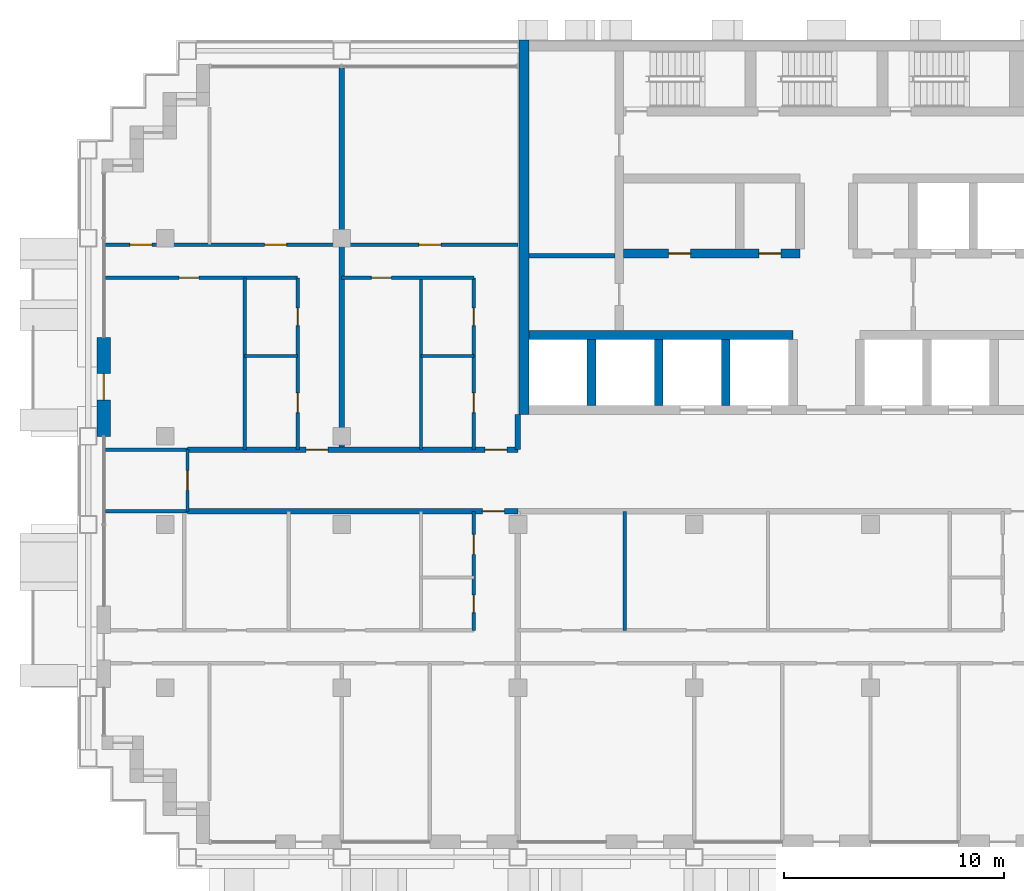
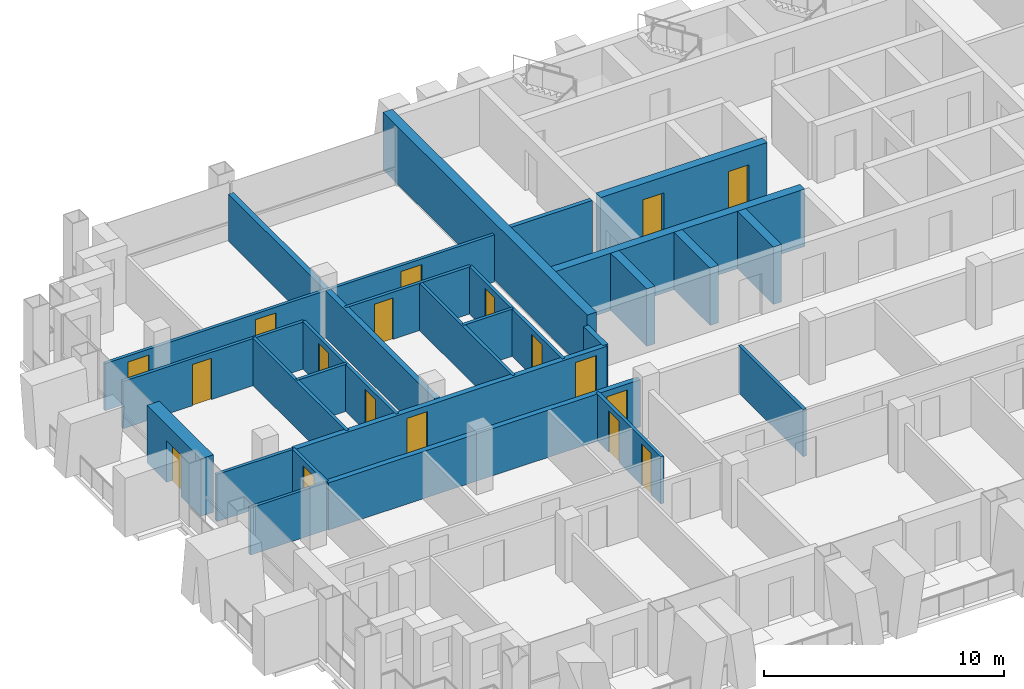
# One storey, part 8 of 18: 27 walls, 18 doors, 18 openings.
"""IFC4 building model written with IfcOpenShell, lengths in metres."""

from ifc_helpers import new_model, si_unit, direction, frame, frame_2d, origin, place, context, subcontext, project, spatial, rectangle, extrude, material, layer, layer_set, type_object, element, fill, save


model = new_model("IFC4")

# Units and contexts
model_context = context("Model", 3, precision=1e-05, world=origin(), true_north=direction((0.0, 1.0)))
body_context = subcontext(model_context, "Body", "Model", "MODEL_VIEW")
ifc_project = project(units=[si_unit("LENGTHUNIT", "METRE"), si_unit("AREAUNIT", "SQUARE_METRE"), si_unit("VOLUMEUNIT", "CUBIC_METRE"), si_unit("PLANEANGLEUNIT", "RADIAN"), si_unit("MASSUNIT", "GRAM", prefix="KILO")], contexts=[model_context])

# Site, building, storey
site_placement = place(None, origin())
site = spatial("IfcSite", under=ifc_project, at=site_placement, CompositionType="ELEMENT")
building_placement = place(site_placement, origin())
building = spatial("IfcBuilding", under=site, at=building_placement, Name="Vidyagriha Tower", CompositionType="ELEMENT")
storey_placement = place(building_placement, frame((0.0, 0.0, 142.199951171875)))
storey = spatial("IfcBuildingStorey", under=building, at=storey_placement, Name="L37", CompositionType="ELEMENT", Elevation=142.199951171875)

# Wall, opening, door
ifc_material_1 = material(Name="Precast concrete C40/50 with brick facing", Category="concrete")
ifc_layer_1 = layer(ifc_material_1, 0.60009765625)
ifc_layer_set_1 = layer_set([ifc_layer_1], Name="Precast concrete C40/50 with brick facing")
wall_type_1 = type_object("IfcWallType", Name="Brick-faced precast wall 600", PredefinedType="STANDARD", material=ifc_layer_set_1)
wall_1_placement = place(storey_placement, frame((-32.800048828125, 6.5, 0.0), z_axis=(0.0, 0.0, 1.0), x_axis=(0.0, -1.0, 0.0)))
wall_1 = element("IfcWall", 1, at=wall_1_placement, inside=storey, type_object=wall_type_1, Name="Brick door bay wall L37 R16.3", PredefinedType="STANDARD", context=body_context, shape_type="SweptSolid", body=[
    extrude(rectangle(XDim=4.5, YDim=0.60009765625, at=frame_2d((2.25, 0.0))), origin(), (0.0, 0.0, 1.0), 2.920166015625),
])
opening_1_placement = place(wall_1_placement, frame((1.64990234375, 0.0, 0.0)))
opening_1 = element("IfcOpeningElement", 2, at=opening_1_placement, cuts=wall_1, Name="Opening D37-66", PredefinedType="OPENING", context=body_context, shape_type="SweptSolid", body=[
    extrude(rectangle(XDim=1.199951171875, YDim=2.10009765625, at=frame_2d((0.60009765625, 1.050048828125))), frame((0.0, 0.31005859375, 0.0), z_axis=(0.0, -1.0, 0.0), x_axis=(1.0, 0.0, 0.0)), (0.0, 0.0, 1.0), 0.6201171875),
])
ifc_material_2 = material(Name="Aluminium framed glazed sliding door", Category="aluminium")
door_type_1 = type_object("IfcDoorType", Name="Balcony sliding door 1200x2100", OperationType="NOTDEFINED", PredefinedType="DOOR", material=ifc_material_2)
door_1_placement = place(opening_1_placement, origin())
door_1 = element("IfcDoor", 3, at=door_1_placement, inside=storey, type_object=door_type_1, Name="Door D37-66", OperationType="SLIDING_TO_LEFT", OverallHeight=2.10009765625, OverallWidth=1.199951171875, PredefinedType="DOOR", context=body_context, shape_type="SweptSolid", body=[
    extrude(rectangle(XDim=1.199951171875, YDim=2.10009765625, at=frame_2d((0.60009765625, 1.050048828125))), frame((0.0, 0.02490234375, 0.0), z_axis=(0.0, -1.0, 0.0), x_axis=(1.0, 0.0, 0.0)), (0.0, 0.0, 1.0), 0.050048828125),
])
fill(opening_1, door_1)

# Walls
ifc_material_3 = material(Name="Concrete C60/75", Category="concrete")
ifc_layer_2 = layer(ifc_material_3, 0.39990234375)
ifc_layer_set_2 = layer_set([ifc_layer_2], Name="Concrete C60/75")
wall_type_2 = type_object("IfcWallType", Name="Core shear wall 400 mm", PredefinedType="SHEAR", material=ifc_layer_set_2)
wall_2_placement = place(storey_placement, frame((-13.5, 6.60009765625, 0.0)))
element("IfcWall", 4, at=wall_2_placement, inside=storey, type_object=wall_type_2, Name="Core lobby south wall west", PredefinedType="SHEAR", context=body_context, shape_type="SweptSolid", body=[
    extrude(rectangle(XDim=11.977783203125, YDim=0.39990234375, at=frame_2d((5.98876953125, 0.0))), origin(), (0.0, 0.0, 1.0), 2.920166015625),
])
for number, where, z_axis, x_axis, name in (
    (5, (-10.655517578125, 3.39990234375, 0.0), (0.0, 0.0, 1.0), (0.0, 1.0, 0.0), "Core bay wall S1"),
    (6, (-7.611083984375, 3.39990234375, 0.0), (0.0, 0.0, 1.0), (0.0, 1.0, 0.0), "Core bay wall S2"),
    (7, (-4.566650390625, 3.39990234375, 0.0), (0.0, 0.0, 1.0), (0.0, 1.0, 0.0), "Core bay wall S3"),
):
    element("IfcWall", number, at=place(storey_placement, frame(where, z_axis=z_axis, x_axis=x_axis)), inside=storey, type_object=wall_type_2, Name=name, PredefinedType="SHEAR", context=body_context, shape_type="SweptSolid", body=[
        extrude(rectangle(XDim=3.0, YDim=0.39990234375, at=frame_2d((1.5, 0.0))), origin(), (0.0, 0.0, 1.0), 2.920166015625),
    ])

# Wall, openings, doors
wall_3_placement = place(storey_placement, frame((-9.199951171875, 10.300048828125, 0.0)))
wall_3 = element("IfcWall", 8, at=wall_3_placement, inside=storey, type_object=wall_type_2, Name="Core row N front wall", PredefinedType="SHEAR", context=body_context, shape_type="SweptSolid", body=[
    extrude(rectangle(XDim=8.0, YDim=0.39990234375, at=frame_2d((4.0, 0.0))), origin(), (0.0, 0.0, 1.0), 2.920166015625),
])
opening_2_placement = place(wall_3_placement, frame((2.033203125, 0.0, 0.0)))
opening_2 = element("IfcOpeningElement", 9, at=opening_2_placement, cuts=wall_3, Name="Opening D37-02", PredefinedType="OPENING", context=body_context, shape_type="SweptSolid", body=[
    extrude(rectangle(XDim=1.0, YDim=2.10009765625, at=frame_2d((0.5, 1.050048828125))), frame((0.0, 0.2099609375, 0.0), z_axis=(0.0, -1.0, 0.0), x_axis=(1.0, 0.0, 0.0)), (0.0, 0.0, 1.0), 0.419921875),
])
opening_3_placement = place(wall_3_placement, frame((6.13330078125, 0.0, 0.0)))
opening_3 = element("IfcOpeningElement", 10, at=opening_3_placement, cuts=wall_3, Name="Opening D37-03", PredefinedType="OPENING", context=body_context, shape_type="SweptSolid", body=[
    extrude(rectangle(XDim=1.0, YDim=2.10009765625, at=frame_2d((0.5, 1.050048828125))), frame((0.0, 0.2099609375, 0.0), z_axis=(0.0, -1.0, 0.0), x_axis=(1.0, 0.0, 0.0)), (0.0, 0.0, 1.0), 0.419921875),
])
ifc_material_4 = material(Name="Hollow metal door leaf")
door_type_2 = type_object("IfcDoorType", Name="Core room door 1000 x 2100 mm EI 60", OperationType="NOTDEFINED", PredefinedType="DOOR", material=ifc_material_4)
door_2_placement = place(opening_2_placement, frame((1.0, 0.0, 0.0), z_axis=(0.0, 0.0, 1.0), x_axis=(-1.0, 0.0, 0.0)))
door_2 = element("IfcDoor", 11, at=door_2_placement, inside=storey, type_object=door_type_2, Name="Door Electrical Room 37.14", OperationType="SINGLE_SWING_RIGHT", OverallHeight=2.10009765625, OverallWidth=1.0, PredefinedType="DOOR", context=body_context, shape_type="SweptSolid", body=[
    extrude(rectangle(XDim=1.0, YDim=2.10009765625, at=frame_2d((0.5, 1.050048828125))), frame((0.0, 0.02490234375, 0.0), z_axis=(0.0, -1.0, 0.0), x_axis=(1.0, 0.0, 0.0)), (0.0, 0.0, 1.0), 0.050048828125),
])
fill(opening_2, door_2)
door_3_placement = place(opening_3_placement, frame((1.0, 0.0, 0.0), z_axis=(0.0, 0.0, 1.0), x_axis=(-1.0, 0.0, 0.0)))
door_3 = element("IfcDoor", 12, at=door_3_placement, inside=storey, type_object=door_type_2, Name="Door Cleaners Store 37.15", OperationType="SINGLE_SWING_LEFT", OverallHeight=2.10009765625, OverallWidth=1.0, PredefinedType="DOOR", context=body_context, shape_type="SweptSolid", body=[
    extrude(rectangle(XDim=1.0, YDim=2.10009765625, at=frame_2d((0.5, 1.050048828125))), frame((0.0, 0.02490234375, 0.0), z_axis=(0.0, -1.0, 0.0), x_axis=(1.0, 0.0, 0.0)), (0.0, 0.0, 1.0), 0.050048828125),
])
fill(opening_3, door_3)

# Wall
ifc_material_5 = material(Name="Concrete C60/75", Category="concrete")
ifc_layer_3 = layer(ifc_material_5, 0.449951171875)
ifc_layer_set_3 = layer_set([ifc_layer_3], Name="Concrete C60/75")
wall_type_3 = type_object("IfcWallType", Name="Core shear wall 450 mm", PredefinedType="SHEAR", material=ifc_layer_set_3)
wall_4_placement = place(storey_placement, frame((-13.72509765625, 3.0, 0.0), z_axis=(0.0, 0.0, 1.0), x_axis=(0.0, 1.0, 0.0)))
element("IfcWall", 13, at=wall_4_placement, inside=storey, type_object=wall_type_3, Name="Core west wall", PredefinedType="SHEAR", context=body_context, shape_type="SweptSolid", body=[
    extrude(rectangle(XDim=17.0, YDim=0.449951171875, at=frame_2d((8.5, 0.0))), origin(), (0.0, 0.0, 1.0), 2.920166015625),
])

# Wall, opening, door
ifc_material_6 = material(Name="Fired clay brick masonry", Category="masonry")
ifc_layer_4 = layer(ifc_material_6, 0.25)
ifc_layer_set_4 = layer_set([ifc_layer_4], Name="Fired clay brick masonry")
wall_type_4 = type_object("IfcWallType", Name="Fired clay brick corridor wall 250", PredefinedType="PARTITIONING", material=ifc_layer_set_4)
wall_5_placement = place(storey_placement, frame((-14.0, -1.39990234375, 0.0), z_axis=(0.0, 0.0, 1.0), x_axis=(-1.0, 0.0, 0.0)))
wall_5 = element("IfcWall", 14, at=wall_5_placement, inside=storey, type_object=wall_type_4, Name="Wall all-L37-w067", PredefinedType="PARTITIONING", context=body_context, shape_type="SweptSolid", body=[
    extrude(rectangle(XDim=15.0, YDim=0.25, at=frame_2d((7.5, 0.0))), origin(), (0.0, 0.0, 1.0), 2.400146484375),
])
opening_4_placement = place(wall_5_placement, frame((0.617919921875, 0.0, 0.0)))
opening_4 = element("IfcOpeningElement", 15, at=opening_4_placement, cuts=wall_5, Name="Opening D37-22", PredefinedType="OPENING", context=body_context, shape_type="SweptSolid", body=[
    extrude(rectangle(XDim=1.0, YDim=2.10009765625, at=frame_2d((0.5, 1.050048828125))), frame((0.0, 0.135009765625, 0.0), z_axis=(0.0, -1.0, 0.0), x_axis=(1.0, 0.0, 0.0)), (0.0, 0.0, 1.0), 0.27001953125),
])
ifc_material_7 = material(Name="Fire-rated timber door leaf EI 60", Category="wood")
door_type_3 = type_object("IfcDoorType", Name="Flat entrance fire door 1000x2100", OperationType="NOTDEFINED", PredefinedType="DOOR", material=ifc_material_7)
door_4_placement = place(opening_4_placement, origin())
door_4 = element("IfcDoor", 16, at=door_4_placement, inside=storey, type_object=door_type_3, Name="Door D37-22", OperationType="SINGLE_SWING_LEFT", OverallHeight=2.10009765625, OverallWidth=1.0, PredefinedType="DOOR", context=body_context, shape_type="SweptSolid", body=[
    extrude(rectangle(XDim=1.0, YDim=2.10009765625, at=frame_2d((0.5, 1.050048828125))), frame((0.0, 0.02490234375, 0.0), z_axis=(0.0, -1.0, 0.0), x_axis=(1.0, 0.0, 0.0)), (0.0, 0.0, 1.0), 0.050048828125),
])
fill(opening_4, door_4)

# Wall, openings, doors
wall_6_placement = place(storey_placement, frame((-29.0, 1.39990234375, 0.0)))
wall_6 = element("IfcWall", 17, at=wall_6_placement, inside=storey, type_object=wall_type_4, Name="Wall all-L37-w094", PredefinedType="PARTITIONING", context=body_context, shape_type="SweptSolid", body=[
    extrude(rectangle(XDim=15.0, YDim=0.25, at=frame_2d((7.5, 0.0))), origin(), (0.0, 0.0, 1.0), 2.400146484375),
])
opening_5_placement = place(wall_6_placement, frame((5.382080078125, 0.0, 0.0)))
opening_5 = element("IfcOpeningElement", 18, at=opening_5_placement, cuts=wall_6, Name="Opening D37-50", PredefinedType="OPENING", context=body_context, shape_type="SweptSolid", body=[
    extrude(rectangle(XDim=1.0, YDim=2.10009765625, at=frame_2d((0.5, 1.050048828125))), frame((0.0, 0.135009765625, 0.0), z_axis=(0.0, -1.0, 0.0), x_axis=(1.0, 0.0, 0.0)), (0.0, 0.0, 1.0), 0.27001953125),
])
opening_6_placement = place(wall_6_placement, frame((13.5, 0.0, 0.0)))
opening_6 = element("IfcOpeningElement", 19, at=opening_6_placement, cuts=wall_6, Name="Opening D37-55", PredefinedType="OPENING", context=body_context, shape_type="SweptSolid", body=[
    extrude(rectangle(XDim=1.0, YDim=2.10009765625, at=frame_2d((0.5, 1.050048828125))), frame((0.0, 0.135009765625, 0.0), z_axis=(0.0, -1.0, 0.0), x_axis=(1.0, 0.0, 0.0)), (0.0, 0.0, 1.0), 0.27001953125),
])
door_5_placement = place(opening_5_placement, origin())
door_5 = element("IfcDoor", 20, at=door_5_placement, inside=storey, type_object=door_type_3, Name="Door D37-50", OperationType="SINGLE_SWING_RIGHT", OverallHeight=2.10009765625, OverallWidth=1.0, PredefinedType="DOOR", context=body_context, shape_type="SweptSolid", body=[
    extrude(rectangle(XDim=1.0, YDim=2.10009765625, at=frame_2d((0.5, 1.050048828125))), frame((0.0, 0.02490234375, 0.0), z_axis=(0.0, -1.0, 0.0), x_axis=(1.0, 0.0, 0.0)), (0.0, 0.0, 1.0), 0.050048828125),
])
fill(opening_5, door_5)
door_6_placement = place(opening_6_placement, origin())
door_6 = element("IfcDoor", 21, at=door_6_placement, inside=storey, type_object=door_type_3, Name="Door D37-55", OperationType="SINGLE_SWING_RIGHT", OverallHeight=2.10009765625, OverallWidth=1.0, PredefinedType="DOOR", context=body_context, shape_type="SweptSolid", body=[
    extrude(rectangle(XDim=1.0, YDim=2.10009765625, at=frame_2d((0.5, 1.050048828125))), frame((0.0, 0.02490234375, 0.0), z_axis=(0.0, -1.0, 0.0), x_axis=(1.0, 0.0, 0.0)), (0.0, 0.0, 1.0), 0.050048828125),
])
fill(opening_6, door_6)

# Walls
wall_7_placement = place(storey_placement, frame((-14.0, 3.0, 0.0), z_axis=(0.0, 0.0, 1.0), x_axis=(0.0, -1.0, 0.0)))
element("IfcWall", 22, at=wall_7_placement, inside=storey, type_object=wall_type_4, Name="Wall all-L37-w119", PredefinedType="PARTITIONING", context=body_context, shape_type="SweptSolid", body=[
    extrude(rectangle(XDim=1.60009765625, YDim=0.25, at=frame_2d((0.800048828125, 0.0))), origin(), (0.0, 0.0, 1.0), 2.400146484375),
])
ifc_material_8 = material(Name="Fired clay brick masonry", Category="masonry")
ifc_layer_5 = layer(ifc_material_8, 0.25)
ifc_layer_set_5 = layer_set([ifc_layer_5], Name="Fired clay brick masonry")
wall_type_5 = type_object("IfcWallType", Name="Fired clay brick demising wall 250", PredefinedType="PARTITIONING", material=ifc_layer_set_5)
wall_8_placement = place(storey_placement, frame((-22.0, 18.720947265625, 0.0), z_axis=(0.0, 0.0, 1.0), x_axis=(0.0, -1.0, 0.0)))
element("IfcWall", 23, at=wall_8_placement, inside=storey, type_object=wall_type_5, Name="Wall all-L37-w093", PredefinedType="PARTITIONING", context=body_context, shape_type="SweptSolid", body=[
    extrude(rectangle(XDim=17.321044921875, YDim=0.25, at=frame_2d((8.66064453125, 0.0))), origin(), (0.0, 0.0, 1.0), 2.400146484375),
])
ifc_material_9 = material(Name="Gypsum board partition")
ifc_layer_6 = layer(ifc_material_9, 0.14990234375)
ifc_layer_set_6 = layer_set([ifc_layer_6], Name="Gypsum board partition")
wall_type_6 = type_object("IfcWallType", Name="Gypsum board partition 150", PredefinedType="PARTITIONING", material=ifc_layer_set_6)
wall_9_placement = place(storey_placement, frame((-9.14990234375, -6.800048828125, 0.0), z_axis=(0.0, 0.0, 1.0), x_axis=(0.0, 1.0, 0.0)))
element("IfcWall", 24, at=wall_9_placement, inside=storey, type_object=wall_type_6, Name="Wall all-L37-w027", PredefinedType="PARTITIONING", context=body_context, shape_type="SweptSolid", body=[
    extrude(rectangle(XDim=5.400146484375, YDim=0.14990234375, at=frame_2d((2.7001953125, 0.0))), origin(), (0.0, 0.0, 1.0), 2.400146484375),
])
wall_10_placement = place(storey_placement, frame((-29.0, -1.39990234375, 0.0), z_axis=(0.0, 0.0, 1.0), x_axis=(-1.0, 0.0, 0.0)))
element("IfcWall", 25, at=wall_10_placement, inside=storey, type_object=wall_type_6, Name="Wall all-L37-w068", PredefinedType="PARTITIONING", context=body_context, shape_type="SweptSolid", body=[
    extrude(rectangle(XDim=3.719970703125, YDim=0.14990234375, at=frame_2d((1.85986328125, 0.0))), origin(), (0.0, 0.0, 1.0), 2.400146484375),
])
wall_11_placement = place(storey_placement, frame((-26.39990234375, 5.64990234375, 0.0)))
element("IfcWall", 26, at=wall_11_placement, inside=storey, type_object=wall_type_6, Name="Wall all-L37-w074", PredefinedType="PARTITIONING", context=body_context, shape_type="SweptSolid", body=[
    extrude(rectangle(XDim=2.39990234375, YDim=0.14990234375, at=frame_2d((1.199951171875, 0.0))), origin(), (0.0, 0.0, 1.0), 2.400146484375),
])
wall_12_placement = place(storey_placement, frame((-26.39990234375, 1.39990234375, 0.0), z_axis=(0.0, 0.0, 1.0), x_axis=(0.0, 1.0, 0.0)))
element("IfcWall", 27, at=wall_12_placement, inside=storey, type_object=wall_type_6, Name="Wall all-L37-w075", PredefinedType="PARTITIONING", context=body_context, shape_type="SweptSolid", body=[
    extrude(rectangle(XDim=7.800048828125, YDim=0.14990234375, at=frame_2d((3.89990234375, 0.0))), origin(), (0.0, 0.0, 1.0), 2.400146484375),
])

# Wall, opening, door
wall_13_placement = place(storey_placement, frame((-24.0, 9.199951171875, 0.0), z_axis=(0.0, 0.0, 1.0), x_axis=(-1.0, 0.0, 0.0)))
wall_13 = element("IfcWall", 28, at=wall_13_placement, inside=storey, type_object=wall_type_6, Name="Wall all-L37-w076", PredefinedType="PARTITIONING", context=body_context, shape_type="SweptSolid", body=[
    extrude(rectangle(XDim=8.719970703125, YDim=0.14990234375, at=frame_2d((4.35986328125, 0.0))), origin(), (0.0, 0.0, 1.0), 2.400146484375),
])
opening_7_placement = place(wall_13_placement, frame((4.48193359375, 0.0, 0.0)))
opening_7 = element("IfcOpeningElement", 29, at=opening_7_placement, cuts=wall_13, Name="Opening D37-47", PredefinedType="OPENING", context=body_context, shape_type="SweptSolid", body=[
    extrude(rectangle(XDim=0.89990234375, YDim=2.10009765625, at=frame_2d((0.449951171875, 1.050048828125))), frame((0.0, 0.0849609375, 0.0), z_axis=(0.0, -1.0, 0.0), x_axis=(1.0, 0.0, 0.0)), (0.0, 0.0, 1.0), 0.169921875),
])
ifc_material_10 = material(Name="Timber door leaf", Category="wood")
door_type_4 = type_object("IfcDoorType", Name="Room door 900x2100", OperationType="NOTDEFINED", PredefinedType="DOOR", material=ifc_material_10)
door_7_placement = place(opening_7_placement, origin())
door_7 = element("IfcDoor", 30, at=door_7_placement, inside=storey, type_object=door_type_4, Name="Door D37-47", OperationType="SINGLE_SWING_LEFT", OverallHeight=2.10009765625, OverallWidth=0.89990234375, PredefinedType="DOOR", context=body_context, shape_type="SweptSolid", body=[
    extrude(rectangle(XDim=0.89990234375, YDim=2.10009765625, at=frame_2d((0.449951171875, 1.050048828125))), frame((0.0, 0.02490234375, 0.0), z_axis=(0.0, -1.0, 0.0), x_axis=(1.0, 0.0, 0.0)), (0.0, 0.0, 1.0), 0.050048828125),
])
fill(opening_7, door_7)

# Wall, openings, doors
wall_14_placement = place(storey_placement, frame((-32.719970703125, 10.699951171875, 0.0)))
wall_14 = element("IfcWall", 31, at=wall_14_placement, inside=storey, type_object=wall_type_6, Name="Wall all-L37-w078", PredefinedType="PARTITIONING", context=body_context, shape_type="SweptSolid", body=[
    extrude(rectangle(XDim=10.719970703125, YDim=0.14990234375, at=frame_2d((5.35986328125, 0.0))), origin(), (0.0, 0.0, 1.0), 2.400146484375),
])
opening_8_placement = place(wall_14_placement, frame((1.10205078125, 0.0, 0.0)))
opening_8 = element("IfcOpeningElement", 32, at=opening_8_placement, cuts=wall_14, Name="Opening D37-48", PredefinedType="OPENING", context=body_context, shape_type="SweptSolid", body=[
    extrude(rectangle(XDim=1.0, YDim=2.10009765625, at=frame_2d((0.5, 1.050048828125))), frame((0.0, 0.0849609375, 0.0), z_axis=(0.0, -1.0, 0.0), x_axis=(1.0, 0.0, 0.0)), (0.0, 0.0, 1.0), 0.169921875),
])
opening_9_placement = place(wall_14_placement, frame((7.219970703125, 0.0, 0.0)))
opening_9 = element("IfcOpeningElement", 33, at=opening_9_placement, cuts=wall_14, Name="Opening D37-49", PredefinedType="OPENING", context=body_context, shape_type="SweptSolid", body=[
    extrude(rectangle(XDim=1.0, YDim=2.10009765625, at=frame_2d((0.5, 1.050048828125))), frame((0.0, 0.0849609375, 0.0), z_axis=(0.0, -1.0, 0.0), x_axis=(1.0, 0.0, 0.0)), (0.0, 0.0, 1.0), 0.169921875),
])
ifc_material_11 = material(Name="Timber door leaf", Category="wood")
door_type_5 = type_object("IfcDoorType", Name="Room door 1000x2100", OperationType="NOTDEFINED", PredefinedType="DOOR", material=ifc_material_11)
door_8_placement = place(opening_8_placement, origin())
door_8 = element("IfcDoor", 34, at=door_8_placement, inside=storey, type_object=door_type_5, Name="Door D37-48", OperationType="SINGLE_SWING_LEFT", OverallHeight=2.10009765625, OverallWidth=1.0, PredefinedType="DOOR", context=body_context, shape_type="SweptSolid", body=[
    extrude(rectangle(XDim=1.0, YDim=2.10009765625, at=frame_2d((0.5, 1.050048828125))), frame((0.0, 0.02490234375, 0.0), z_axis=(0.0, -1.0, 0.0), x_axis=(1.0, 0.0, 0.0)), (0.0, 0.0, 1.0), 0.050048828125),
])
fill(opening_8, door_8)
door_9_placement = place(opening_9_placement, origin())
door_9 = element("IfcDoor", 35, at=door_9_placement, inside=storey, type_object=door_type_5, Name="Door D37-49", OperationType="SINGLE_SWING_RIGHT", OverallHeight=2.10009765625, OverallWidth=1.0, PredefinedType="DOOR", context=body_context, shape_type="SweptSolid", body=[
    extrude(rectangle(XDim=1.0, YDim=2.10009765625, at=frame_2d((0.5, 1.050048828125))), frame((0.0, 0.02490234375, 0.0), z_axis=(0.0, -1.0, 0.0), x_axis=(1.0, 0.0, 0.0)), (0.0, 0.0, 1.0), 0.050048828125),
])
fill(opening_9, door_9)

# Walls
wall_15_placement = place(storey_placement, frame((-18.39990234375, 5.64990234375, 0.0)))
element("IfcWall", 36, at=wall_15_placement, inside=storey, type_object=wall_type_6, Name="Wall all-L37-w086", PredefinedType="PARTITIONING", context=body_context, shape_type="SweptSolid", body=[
    extrude(rectangle(XDim=2.39990234375, YDim=0.14990234375, at=frame_2d((1.199951171875, 0.0))), origin(), (0.0, 0.0, 1.0), 2.400146484375),
])
wall_16_placement = place(storey_placement, frame((-18.39990234375, 1.39990234375, 0.0), z_axis=(0.0, 0.0, 1.0), x_axis=(0.0, 1.0, 0.0)))
element("IfcWall", 37, at=wall_16_placement, inside=storey, type_object=wall_type_6, Name="Wall all-L37-w087", PredefinedType="PARTITIONING", context=body_context, shape_type="SweptSolid", body=[
    extrude(rectangle(XDim=7.800048828125, YDim=0.14990234375, at=frame_2d((3.89990234375, 0.0))), origin(), (0.0, 0.0, 1.0), 2.400146484375),
])

# Wall, opening, door
wall_17_placement = place(storey_placement, frame((-16.0, 9.199951171875, 0.0), z_axis=(0.0, 0.0, 1.0), x_axis=(-1.0, 0.0, 0.0)))
wall_17 = element("IfcWall", 38, at=wall_17_placement, inside=storey, type_object=wall_type_6, Name="Wall all-L37-w088", PredefinedType="PARTITIONING", context=body_context, shape_type="SweptSolid", body=[
    extrude(rectangle(XDim=6.0, YDim=0.14990234375, at=frame_2d((3.0, 0.0))), origin(), (0.0, 0.0, 1.0), 2.400146484375),
])
opening_10_placement = place(wall_17_placement, frame((3.75, 0.0, 0.0)))
opening_10 = element("IfcOpeningElement", 39, at=opening_10_placement, cuts=wall_17, Name="Opening D37-53", PredefinedType="OPENING", context=body_context, shape_type="SweptSolid", body=[
    extrude(rectangle(XDim=0.89990234375, YDim=2.10009765625, at=frame_2d((0.449951171875, 1.050048828125))), frame((0.0, 0.0849609375, 0.0), z_axis=(0.0, -1.0, 0.0), x_axis=(1.0, 0.0, 0.0)), (0.0, 0.0, 1.0), 0.169921875),
])
door_10_placement = place(opening_10_placement, origin())
door_10 = element("IfcDoor", 40, at=door_10_placement, inside=storey, type_object=door_type_4, Name="Door D37-53", OperationType="SINGLE_SWING_RIGHT", OverallHeight=2.10009765625, OverallWidth=0.89990234375, PredefinedType="DOOR", context=body_context, shape_type="SweptSolid", body=[
    extrude(rectangle(XDim=0.89990234375, YDim=2.10009765625, at=frame_2d((0.449951171875, 1.050048828125))), frame((0.0, 0.02490234375, 0.0), z_axis=(0.0, -1.0, 0.0), x_axis=(1.0, 0.0, 0.0)), (0.0, 0.0, 1.0), 0.050048828125),
])
fill(opening_10, door_10)

wall_18_placement = place(storey_placement, frame((-22.0, 10.699951171875, 0.0)))
wall_18 = element("IfcWall", 41, at=wall_18_placement, inside=storey, type_object=wall_type_6, Name="Wall all-L37-w090", PredefinedType="PARTITIONING", context=body_context, shape_type="SweptSolid", body=[
    extrude(rectangle(XDim=8.0, YDim=0.14990234375, at=frame_2d((4.0, 0.0))), origin(), (0.0, 0.0, 1.0), 2.400146484375),
])
opening_11_placement = place(wall_18_placement, frame((3.5, 0.0, 0.0)))
opening_11 = element("IfcOpeningElement", 42, at=opening_11_placement, cuts=wall_18, Name="Opening D37-54", PredefinedType="OPENING", context=body_context, shape_type="SweptSolid", body=[
    extrude(rectangle(XDim=1.0, YDim=2.10009765625, at=frame_2d((0.5, 1.050048828125))), frame((0.0, 0.0849609375, 0.0), z_axis=(0.0, -1.0, 0.0), x_axis=(1.0, 0.0, 0.0)), (0.0, 0.0, 1.0), 0.169921875),
])
door_11_placement = place(opening_11_placement, origin())
door_11 = element("IfcDoor", 43, at=door_11_placement, inside=storey, type_object=door_type_5, Name="Door D37-54", OperationType="SINGLE_SWING_RIGHT", OverallHeight=2.10009765625, OverallWidth=1.0, PredefinedType="DOOR", context=body_context, shape_type="SweptSolid", body=[
    extrude(rectangle(XDim=1.0, YDim=2.10009765625, at=frame_2d((0.5, 1.050048828125))), frame((0.0, 0.02490234375, 0.0), z_axis=(0.0, -1.0, 0.0), x_axis=(1.0, 0.0, 0.0)), (0.0, 0.0, 1.0), 0.050048828125),
])
fill(opening_11, door_11)

# Wall
wall_19_placement = place(storey_placement, frame((-32.719970703125, 1.39990234375, 0.0)))
element("IfcWall", 44, at=wall_19_placement, inside=storey, type_object=wall_type_6, Name="Wall all-L37-w095", PredefinedType="PARTITIONING", context=body_context, shape_type="SweptSolid", body=[
    extrude(rectangle(XDim=3.719970703125, YDim=0.14990234375, at=frame_2d((1.85986328125, 0.0))), origin(), (0.0, 0.0, 1.0), 2.400146484375),
])

# Wall, opening, door
wall_20_placement = place(storey_placement, frame((-29.0, 1.39990234375, 0.0), z_axis=(0.0, 0.0, 1.0), x_axis=(0.0, -1.0, 0.0)))
wall_20 = element("IfcWall", 45, at=wall_20_placement, inside=storey, type_object=wall_type_6, Name="Wall all-L37-w114", PredefinedType="PARTITIONING", context=body_context, shape_type="SweptSolid", body=[
    extrude(rectangle(XDim=2.7998046875, YDim=0.14990234375, at=frame_2d((1.39990234375, 0.0))), origin(), (0.0, 0.0, 1.0), 2.400146484375),
])
opening_12_placement = place(wall_20_placement, frame((0.949951171875, 0.0, 0.0)))
opening_12 = element("IfcOpeningElement", 46, at=opening_12_placement, cuts=wall_20, Name="Opening D37-64", PredefinedType="OPENING", context=body_context, shape_type="SweptSolid", body=[
    extrude(rectangle(XDim=0.89990234375, YDim=2.10009765625, at=frame_2d((0.449951171875, 1.050048828125))), frame((0.0, 0.0849609375, 0.0), z_axis=(0.0, -1.0, 0.0), x_axis=(1.0, 0.0, 0.0)), (0.0, 0.0, 1.0), 0.169921875),
])
door_12_placement = place(opening_12_placement, origin())
door_12 = element("IfcDoor", 47, at=door_12_placement, inside=storey, type_object=door_type_4, Name="Door D37-64", OperationType="SINGLE_SWING_RIGHT", OverallHeight=2.10009765625, OverallWidth=0.89990234375, PredefinedType="DOOR", context=body_context, shape_type="SweptSolid", body=[
    extrude(rectangle(XDim=0.89990234375, YDim=2.10009765625, at=frame_2d((0.449951171875, 1.050048828125))), frame((0.0, 0.02490234375, 0.0), z_axis=(0.0, -1.0, 0.0), x_axis=(1.0, 0.0, 0.0)), (0.0, 0.0, 1.0), 0.050048828125),
])
fill(opening_12, door_12)

# Wall, openings, doors
ifc_material_12 = material(Name="Moisture resistant gypsum board partition")
ifc_layer_7 = layer(ifc_material_12, 0.14990234375)
ifc_layer_set_7 = layer_set([ifc_layer_7], Name="Moisture resistant gypsum board partition")
wall_type_7 = type_object("IfcWallType", Name="Gypsum board wet-area partition 150", PredefinedType="PARTITIONING", material=ifc_layer_set_7)
wall_21_placement = place(storey_placement, frame((-16.0, -6.800048828125, 0.0), z_axis=(0.0, 0.0, 1.0), x_axis=(0.0, 1.0, 0.0)))
wall_21 = element("IfcWall", 48, at=wall_21_placement, inside=storey, type_object=wall_type_7, Name="Wall all-L37-w001", PredefinedType="PARTITIONING", context=body_context, shape_type="SweptSolid", body=[
    extrude(rectangle(XDim=5.400146484375, YDim=0.14990234375, at=frame_2d((2.7001953125, 0.0))), origin(), (0.0, 0.0, 1.0), 2.400146484375),
])
opening_13_placement = place(wall_21_placement, frame((3.449951171875, 0.0, 0.0)))
opening_13 = element("IfcOpeningElement", 49, at=opening_13_placement, cuts=wall_21, Name="Opening D37-13", PredefinedType="OPENING", context=body_context, shape_type="SweptSolid", body=[
    extrude(rectangle(XDim=0.89990234375, YDim=2.10009765625, at=frame_2d((0.449951171875, 1.050048828125))), frame((0.0, 0.0849609375, 0.0), z_axis=(0.0, -1.0, 0.0), x_axis=(1.0, 0.0, 0.0)), (0.0, 0.0, 1.0), 0.169921875),
])
opening_14_placement = place(wall_21_placement, frame((0.800048828125, 0.0, 0.0)))
opening_14 = element("IfcOpeningElement", 50, at=opening_14_placement, cuts=wall_21, Name="Opening D37-14", PredefinedType="OPENING", context=body_context, shape_type="SweptSolid", body=[
    extrude(rectangle(XDim=0.800048828125, YDim=2.10009765625, at=frame_2d((0.39990234375, 1.050048828125))), frame((0.0, 0.0849609375, 0.0), z_axis=(0.0, -1.0, 0.0), x_axis=(1.0, 0.0, 0.0)), (0.0, 0.0, 1.0), 0.169921875),
])
ifc_material_13 = material(Name="Timber door leaf", Category="wood")
door_type_6 = type_object("IfcDoorType", Name="Bathroom door 800x2100", OperationType="NOTDEFINED", PredefinedType="DOOR", material=ifc_material_13)
door_13_placement = place(opening_14_placement, origin())
door_13 = element("IfcDoor", 51, at=door_13_placement, inside=storey, type_object=door_type_6, Name="Door D37-14", OperationType="SINGLE_SWING_RIGHT", OverallHeight=2.10009765625, OverallWidth=0.800048828125, PredefinedType="DOOR", context=body_context, shape_type="SweptSolid", body=[
    extrude(rectangle(XDim=0.800048828125, YDim=2.10009765625, at=frame_2d((0.39990234375, 1.050048828125))), frame((0.0, 0.02490234375, 0.0), z_axis=(0.0, -1.0, 0.0), x_axis=(1.0, 0.0, 0.0)), (0.0, 0.0, 1.0), 0.050048828125),
])
fill(opening_14, door_13)
ifc_material_14 = material(Name="Timber door leaf", Category="wood")
door_type_7 = type_object("IfcDoorType", Name="Kitchen door 900x2100", OperationType="NOTDEFINED", PredefinedType="DOOR", material=ifc_material_14)
door_14_placement = place(opening_13_placement, origin())
door_14 = element("IfcDoor", 52, at=door_14_placement, inside=storey, type_object=door_type_7, Name="Door D37-13", OperationType="SINGLE_SWING_RIGHT", OverallHeight=2.10009765625, OverallWidth=0.89990234375, PredefinedType="DOOR", context=body_context, shape_type="SweptSolid", body=[
    extrude(rectangle(XDim=0.89990234375, YDim=2.10009765625, at=frame_2d((0.449951171875, 1.050048828125))), frame((0.0, 0.02490234375, 0.0), z_axis=(0.0, -1.0, 0.0), x_axis=(1.0, 0.0, 0.0)), (0.0, 0.0, 1.0), 0.050048828125),
])
fill(opening_13, door_14)

wall_22_placement = place(storey_placement, frame((-24.0, 1.39990234375, 0.0), z_axis=(0.0, 0.0, 1.0), x_axis=(0.0, 1.0, 0.0)))
wall_22 = element("IfcWall", 53, at=wall_22_placement, inside=storey, type_object=wall_type_7, Name="Wall all-L37-w071", PredefinedType="PARTITIONING", context=body_context, shape_type="SweptSolid", body=[
    extrude(rectangle(XDim=7.800048828125, YDim=0.14990234375, at=frame_2d((3.89990234375, 0.0))), origin(), (0.0, 0.0, 1.0), 2.400146484375),
])
opening_15_placement = place(wall_22_placement, frame((1.675048828125, 0.0, 0.0)))
opening_15 = element("IfcOpeningElement", 54, at=opening_15_placement, cuts=wall_22, Name="Opening D37-45", PredefinedType="OPENING", context=body_context, shape_type="SweptSolid", body=[
    extrude(rectangle(XDim=0.89990234375, YDim=2.10009765625, at=frame_2d((0.449951171875, 1.050048828125))), frame((0.0, 0.0849609375, 0.0), z_axis=(0.0, -1.0, 0.0), x_axis=(1.0, 0.0, 0.0)), (0.0, 0.0, 1.0), 0.169921875),
])
opening_16_placement = place(wall_22_placement, frame((5.625, 0.0, 0.0)))
opening_16 = element("IfcOpeningElement", 55, at=opening_16_placement, cuts=wall_22, Name="Opening D37-46", PredefinedType="OPENING", context=body_context, shape_type="SweptSolid", body=[
    extrude(rectangle(XDim=0.800048828125, YDim=2.10009765625, at=frame_2d((0.39990234375, 1.050048828125))), frame((0.0, 0.0849609375, 0.0), z_axis=(0.0, -1.0, 0.0), x_axis=(1.0, 0.0, 0.0)), (0.0, 0.0, 1.0), 0.169921875),
])
door_15_placement = place(opening_16_placement, origin())
door_15 = element("IfcDoor", 56, at=door_15_placement, inside=storey, type_object=door_type_6, Name="Door D37-46", OperationType="SINGLE_SWING_RIGHT", OverallHeight=2.10009765625, OverallWidth=0.800048828125, PredefinedType="DOOR", context=body_context, shape_type="SweptSolid", body=[
    extrude(rectangle(XDim=0.800048828125, YDim=2.10009765625, at=frame_2d((0.39990234375, 1.050048828125))), frame((0.0, 0.02490234375, 0.0), z_axis=(0.0, -1.0, 0.0), x_axis=(1.0, 0.0, 0.0)), (0.0, 0.0, 1.0), 0.050048828125),
])
fill(opening_16, door_15)
door_16_placement = place(opening_15_placement, origin())
door_16 = element("IfcDoor", 57, at=door_16_placement, inside=storey, type_object=door_type_7, Name="Door D37-45", OperationType="SINGLE_SWING_LEFT", OverallHeight=2.10009765625, OverallWidth=0.89990234375, PredefinedType="DOOR", context=body_context, shape_type="SweptSolid", body=[
    extrude(rectangle(XDim=0.89990234375, YDim=2.10009765625, at=frame_2d((0.449951171875, 1.050048828125))), frame((0.0, 0.02490234375, 0.0), z_axis=(0.0, -1.0, 0.0), x_axis=(1.0, 0.0, 0.0)), (0.0, 0.0, 1.0), 0.050048828125),
])
fill(opening_15, door_16)

wall_23_placement = place(storey_placement, frame((-16.0, 1.39990234375, 0.0), z_axis=(0.0, 0.0, 1.0), x_axis=(0.0, 1.0, 0.0)))
wall_23 = element("IfcWall", 58, at=wall_23_placement, inside=storey, type_object=wall_type_7, Name="Wall all-L37-w083", PredefinedType="PARTITIONING", context=body_context, shape_type="SweptSolid", body=[
    extrude(rectangle(XDim=7.800048828125, YDim=0.14990234375, at=frame_2d((3.89990234375, 0.0))), origin(), (0.0, 0.0, 1.0), 2.400146484375),
])
opening_17_placement = place(wall_23_placement, frame((1.675048828125, 0.0, 0.0)))
opening_17 = element("IfcOpeningElement", 59, at=opening_17_placement, cuts=wall_23, Name="Opening D37-51", PredefinedType="OPENING", context=body_context, shape_type="SweptSolid", body=[
    extrude(rectangle(XDim=0.89990234375, YDim=2.10009765625, at=frame_2d((0.449951171875, 1.050048828125))), frame((0.0, 0.0849609375, 0.0), z_axis=(0.0, -1.0, 0.0), x_axis=(1.0, 0.0, 0.0)), (0.0, 0.0, 1.0), 0.169921875),
])
opening_18_placement = place(wall_23_placement, frame((5.625, 0.0, 0.0)))
opening_18 = element("IfcOpeningElement", 60, at=opening_18_placement, cuts=wall_23, Name="Opening D37-52", PredefinedType="OPENING", context=body_context, shape_type="SweptSolid", body=[
    extrude(rectangle(XDim=0.800048828125, YDim=2.10009765625, at=frame_2d((0.39990234375, 1.050048828125))), frame((0.0, 0.0849609375, 0.0), z_axis=(0.0, -1.0, 0.0), x_axis=(1.0, 0.0, 0.0)), (0.0, 0.0, 1.0), 0.169921875),
])
door_17_placement = place(opening_18_placement, origin())
door_17 = element("IfcDoor", 61, at=door_17_placement, inside=storey, type_object=door_type_6, Name="Door D37-52", OperationType="SINGLE_SWING_RIGHT", OverallHeight=2.10009765625, OverallWidth=0.800048828125, PredefinedType="DOOR", context=body_context, shape_type="SweptSolid", body=[
    extrude(rectangle(XDim=0.800048828125, YDim=2.10009765625, at=frame_2d((0.39990234375, 1.050048828125))), frame((0.0, 0.02490234375, 0.0), z_axis=(0.0, -1.0, 0.0), x_axis=(1.0, 0.0, 0.0)), (0.0, 0.0, 1.0), 0.050048828125),
])
fill(opening_18, door_17)
door_18_placement = place(opening_17_placement, origin())
door_18 = element("IfcDoor", 62, at=door_18_placement, inside=storey, type_object=door_type_7, Name="Door D37-51", OperationType="SINGLE_SWING_LEFT", OverallHeight=2.10009765625, OverallWidth=0.89990234375, PredefinedType="DOOR", context=body_context, shape_type="SweptSolid", body=[
    extrude(rectangle(XDim=0.89990234375, YDim=2.10009765625, at=frame_2d((0.449951171875, 1.050048828125))), frame((0.0, 0.02490234375, 0.0), z_axis=(0.0, -1.0, 0.0), x_axis=(1.0, 0.0, 0.0)), (0.0, 0.0, 1.0), 0.050048828125),
])
fill(opening_17, door_18)

# Wall
ifc_material_15 = material(Name="Blockwork 15 MPa", Category="masonry")
ifc_layer_8 = layer(ifc_material_15, 0.199951171875)
ifc_layer_set_8 = layer_set([ifc_layer_8], Name="Blockwork 15 MPa")
wall_type_8 = type_object("IfcWallType", Name="Service room partition 200 mm", PredefinedType="PARTITIONING", material=ifc_layer_set_8)
wall_24_placement = place(storey_placement, frame((-13.5, 10.199951171875, 0.0)))
element("IfcWall", 63, at=wall_24_placement, inside=storey, type_object=wall_type_8, Name="Core room partition W1", PredefinedType="PARTITIONING", context=body_context, shape_type="SweptSolid", body=[
    extrude(rectangle(XDim=3.89990234375, YDim=0.199951171875, at=frame_2d((1.949951171875, 0.0))), origin(), (0.0, 0.0, 1.0), 2.920166015625),
])

save(model, "model.ifc")
